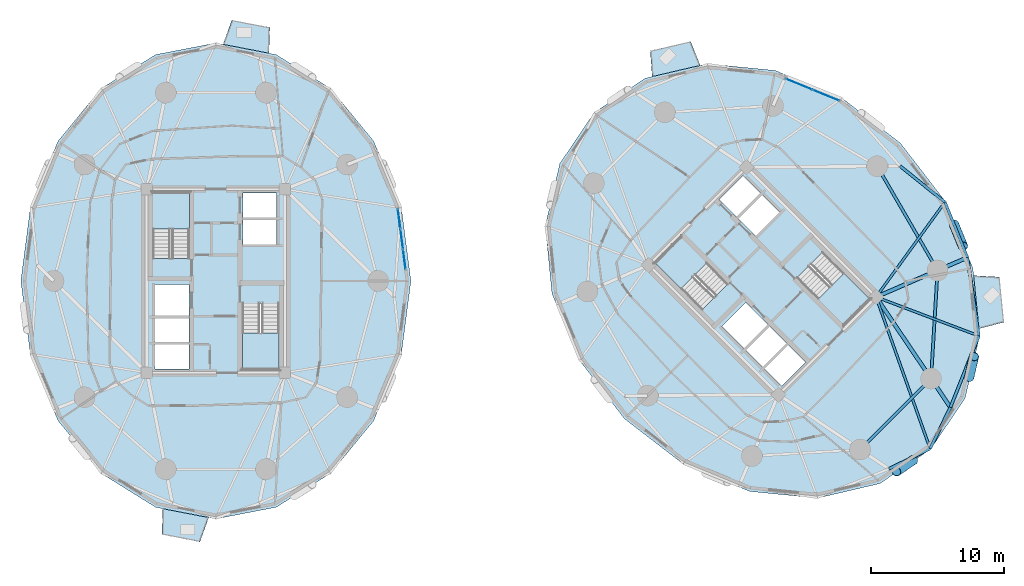
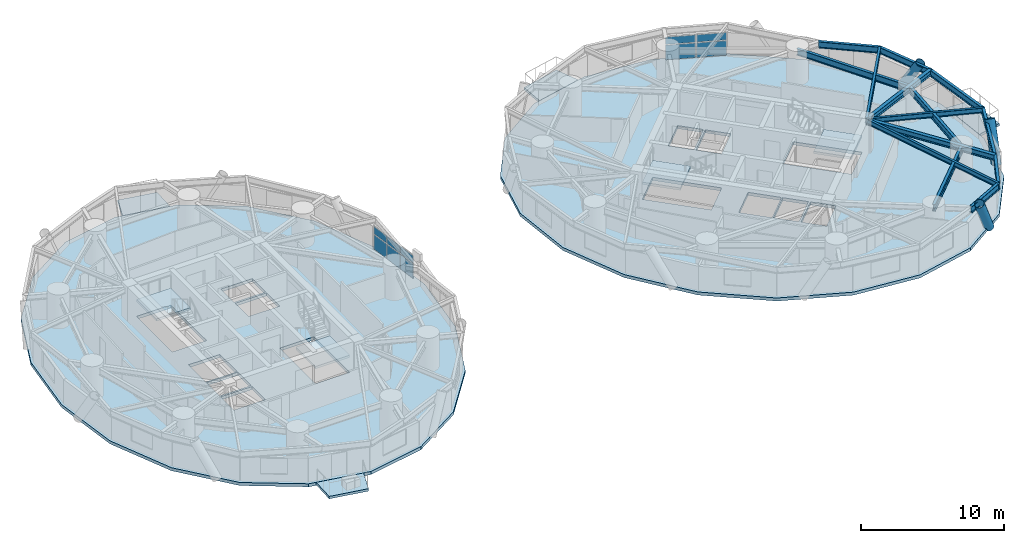
# One storey, part 6 of 15: 14 beams, 10 plates, 10 slabs, 3 members, 6 elements without a shape of their own.
"""IFC4 building model written with IfcOpenShell, lengths in metres."""

from ifc_helpers import new_model, si_unit, direction, frame, origin, origin_2d, place, context, subcontext, project, spatial, polyline, rectangle, hollow_circle, i_section, outline, extrude, source, transform, mapped, material, layer, layer_set, material_profile, profile_set, type_object, element, aggregate, save


model = new_model("IFC4")

# Units and contexts
model_context = context("Model", 3, precision=1e-05, world=origin(), true_north=direction((0.0, 1.0)))
body_context = subcontext(model_context, "Body", "Model", "MODEL_VIEW")
ifc_project = project(units=[si_unit("LENGTHUNIT", "METRE"), si_unit("AREAUNIT", "SQUARE_METRE"), si_unit("VOLUMEUNIT", "CUBIC_METRE"), si_unit("PLANEANGLEUNIT", "RADIAN"), si_unit("MASSUNIT", "GRAM", prefix="KILO")], contexts=[model_context])

# Site, building, storey
site_placement = place(None, origin())
site = spatial("IfcSite", under=ifc_project, at=site_placement, CompositionType="ELEMENT")
building_placement = place(site_placement, origin())
building = spatial("IfcBuilding", under=site, at=building_placement, Name="Cununo Teusaquillo Station Towers", CompositionType="ELEMENT")
storey_placement = place(building_placement, frame((0.0, 0.0, 24.909912109375)))
storey = spatial("IfcBuildingStorey", under=building, at=storey_placement, Name="L06", CompositionType="ELEMENT", Elevation=24.909912109375)

# Beams
ifc_material_1 = material(Name="Steel ASTM A572 Grade 50", Category="steel")
ifc_material_profile_1 = material_profile(ifc_material_1, i_section(OverallWidth=0.180908203125, OverallDepth=0.4169921875, WebThickness=0.010986328125, FlangeThickness=0.018310546875, FilletRadius=0.012939453125, at=origin_2d()), Name="W16X57")
ifc_profile_set_1 = profile_set([ifc_material_profile_1], Name="Steel ASTM A572 Grade 50")
beam_type_1 = type_object("IfcBeamType", Name="BM-JOIST-1", PredefinedType="JOIST", material=ifc_profile_set_1)
beam_1_placement = place(storey_placement, frame((66.024169921875, 23.29443359375, 2.441650390625), z_axis=(0.335830426812, -0.941922462004, 0.0), x_axis=(0.941922462004, 0.335830426812, 0.0)))
element("IfcBeam", 1, at=beam_1_placement, inside=storey, type_object=beam_type_1, Name="L06 Tower B Radial Spandrel Joist V15", PredefinedType="JOIST", context=body_context, shape_type="SweptSolid", body=[
    extrude(i_section(OverallWidth=0.180908203125, OverallDepth=0.4169921875, WebThickness=0.010986328125, FlangeThickness=0.018310546875, FilletRadius=0.012939453125, at=origin_2d()), origin(), (0.0, 0.0, 1.0), 12.074951171875),
])
beam_2_placement = place(storey_placement, frame((66.024169921875, 23.29443359375, 2.441650390625), z_axis=(0.935351694296, -0.353719108867, 0.0), x_axis=(0.353719108867, 0.935351694296, 0.0)))
element("IfcBeam", 2, at=beam_2_placement, inside=storey, type_object=beam_type_1, Name="L06 Tower B Radial Spandrel Joist V17", PredefinedType="JOIST", context=body_context, shape_type="SweptSolid", body=[
    extrude(i_section(OverallWidth=0.180908203125, OverallDepth=0.4169921875, WebThickness=0.010986328125, FlangeThickness=0.018310546875, FilletRadius=0.012939453125, at=origin_2d()), origin(), (0.0, 0.0, 1.0), 8.24169921875),
])
beam_3_placement = place(storey_placement, frame((66.024169921875, 23.29443359375, 2.441650390625), z_axis=(0.587127729658, 0.80949430453, 0.0), x_axis=(-0.80949430453, 0.587127729658, 0.0)))
element("IfcBeam", 3, at=beam_3_placement, inside=storey, type_object=beam_type_1, Name="L06 Tower B Radial Spandrel Joist V19", PredefinedType="JOIST", context=body_context, shape_type="SweptSolid", body=[
    extrude(i_section(OverallWidth=0.180908203125, OverallDepth=0.4169921875, WebThickness=0.010986328125, FlangeThickness=0.018310546875, FilletRadius=0.012939453125, at=origin_2d()), origin(), (0.0, 0.0, 1.0), 8.792236328125),
])
ifc_material_2 = material(Name="Steel ASTM A572 Grade 50", Category="steel")
ifc_material_profile_2 = material_profile(ifc_material_2, i_section(OverallWidth=0.280029296875, OverallDepth=0.462890625, WebThickness=0.0107421875, FlangeThickness=0.017333984375, FilletRadius=0.013916015625, at=origin_2d()), Name="W18X76")
ifc_profile_set_2 = profile_set([ifc_material_profile_2], Name="Steel ASTM A572 Grade 50")
beam_type_2 = type_object("IfcBeamType", Name="BM-RAD-G1", PredefinedType="BEAM", material=ifc_profile_set_2)
beam_4_placement = place(storey_placement, frame((66.024169921875, 23.29443359375, 2.418701171875), z_axis=(0.558566040042, -0.829460052631, 0.0), x_axis=(0.829460052631, 0.558566040042, 0.0)))
element("IfcBeam", 4, at=beam_4_placement, inside=storey, type_object=beam_type_2, Name="L06 Tower B Continuous Overhanging Radial Girder 09", PredefinedType="BEAM", context=body_context, shape_type="SweptSolid", body=[
    extrude(i_section(OverallWidth=0.280029296875, OverallDepth=0.462890625, WebThickness=0.0107421875, FlangeThickness=0.017333984375, FilletRadius=0.013916015625, at=origin_2d()), origin(), (0.0, 0.0, 1.0), 9.982177734375),
])
beam_5_placement = place(storey_placement, frame((66.024169921875, 23.29443359375, 2.418701171875), z_axis=(0.917655022043, 0.397377981926, 0.0), x_axis=(-0.397377981926, 0.917655022043, 0.0)))
element("IfcBeam", 5, at=beam_5_placement, inside=storey, type_object=beam_type_2, Name="L06 Tower B Continuous Overhanging Radial Girder 10", PredefinedType="BEAM", context=body_context, shape_type="SweptSolid", body=[
    extrude(i_section(OverallWidth=0.280029296875, OverallDepth=0.462890625, WebThickness=0.0107421875, FlangeThickness=0.017333984375, FilletRadius=0.013916015625, at=origin_2d()), origin(), (0.0, 0.0, 1.0), 7.46533203125),
])
ifc_material_3 = material(Name="Steel ASTM A572 Grade 50", Category="steel")
ifc_material_profile_3 = material_profile(ifc_material_3, i_section(OverallWidth=0.214111328125, OverallDepth=0.549072265625, WebThickness=0.0146484375, FlangeThickness=0.023681640625, FilletRadius=0.014892578125, at=origin_2d()), Name="W21X93")
ifc_profile_set_3 = profile_set([ifc_material_profile_3], Name="Steel ASTM A572 Grade 50")
beam_type_3 = type_object("IfcBeamType", Name="BM-RING-Z1", PredefinedType="SPANDREL", material=ifc_profile_set_3)
beam_6_placement = place(storey_placement, frame((64.826904296875, 11.853759765625, 2.37548828125), z_axis=(0.707106781187, 0.707106781187, 0.0), x_axis=(-0.707106781187, 0.707106781187, 0.0)))
element("IfcBeam", 6, at=beam_6_placement, inside=storey, type_object=beam_type_3, Name="L06 Tower B Structural Column Ring Girder 08", PredefinedType="SPANDREL", context=body_context, shape_type="SweptSolid", body=[
    extrude(i_section(OverallWidth=0.214111328125, OverallDepth=0.549072265625, WebThickness=0.0146484375, FlangeThickness=0.023681640625, FilletRadius=0.014892578125, at=origin_2d()), origin(), (0.0, 0.0, 1.0), 7.522705078125),
])
beam_7_placement = place(storey_placement, frame((70.146240234375, 17.173095703125, 2.37548828125), z_axis=(0.06012979176, 0.998190567048, 0.0), x_axis=(-0.998190567048, 0.06012979176, 0.0)))
element("IfcBeam", 7, at=beam_7_placement, inside=storey, type_object=beam_type_3, Name="L06 Tower B Structural Column Ring Girder 09", PredefinedType="SPANDREL", context=body_context, shape_type="SweptSolid", body=[
    extrude(i_section(OverallWidth=0.214111328125, OverallDepth=0.549072265625, WebThickness=0.0146484375, FlangeThickness=0.023681640625, FilletRadius=0.014892578125, at=origin_2d()), origin(), (0.0, 0.0, 1.0), 8.132568359375),
])
beam_8_placement = place(storey_placement, frame((70.63525390625, 25.291015625, 2.37548828125), z_axis=(-0.501311121078, 0.865267103202, 0.0), x_axis=(-0.865267103202, -0.501311121078, 0.0)))
element("IfcBeam", 8, at=beam_8_placement, inside=storey, type_object=beam_type_3, Name="L06 Tower B Structural Column Ring Girder 10", PredefinedType="SPANDREL", context=body_context, shape_type="SweptSolid", body=[
    extrude(i_section(OverallWidth=0.214111328125, OverallDepth=0.549072265625, WebThickness=0.0146484375, FlangeThickness=0.023681640625, FilletRadius=0.014892578125, at=origin_2d()), origin(), (0.0, 0.0, 1.0), 9.032958984375),
])
for number, where, z_axis, x_axis, name in (
    (9, (66.9853515625, 10.400146484375, 2.37548828125), (0.89747957949, 0.4410560105, 0.0), (-0.4410560105, 0.89747957949, 0.0), "L06 Tower B Spandrel Ring Beam 15"),
    (10, (70.079345703125, 11.920654296875, 2.37548828125), (0.4410560105, 0.89747957949, 0.0), (-0.89747957949, 0.4410560105, 0.0), "L06 Tower B Spandrel Ring Beam 16"),
):
    element("IfcBeam", number, at=place(storey_placement, frame(where, z_axis=z_axis, x_axis=x_axis)), inside=storey, type_object=beam_type_3, Name=name, PredefinedType="SPANDREL", context=body_context, shape_type="SweptSolid", body=[
        extrude(i_section(OverallWidth=0.214111328125, OverallDepth=0.549072265625, WebThickness=0.0146484375, FlangeThickness=0.023681640625, FilletRadius=0.014892578125, at=origin_2d()), origin(), (0.0, 0.0, 1.0), 3.447509765625),
    ])
beam_9_placement = place(storey_placement, frame((71.599853515625, 15.0146484375, 2.37548828125), z_axis=(0.369523366373, 0.929221438466, 0.0), x_axis=(-0.929221438466, 0.369523366373, 0.0)))
element("IfcBeam", 11, at=beam_9_placement, inside=storey, type_object=beam_type_3, Name="L06 Tower B Spandrel Ring Beam 17", PredefinedType="SPANDREL", context=body_context, shape_type="SweptSolid", body=[
    extrude(i_section(OverallWidth=0.214111328125, OverallDepth=0.549072265625, WebThickness=0.0146484375, FlangeThickness=0.023681640625, FilletRadius=0.014892578125, at=origin_2d()), origin(), (0.0, 0.0, 1.0), 5.773193359375),
])
beam_10_placement = place(storey_placement, frame((73.733154296875, 20.379150390625, 2.37548828125), z_axis=(-0.144410786586, 0.989517824356, 0.0), x_axis=(-0.989517824356, -0.144410786586, 0.0)))
element("IfcBeam", 12, at=beam_10_placement, inside=storey, type_object=beam_type_3, Name="L06 Tower B Spandrel Ring Beam 18", PredefinedType="SPANDREL", context=body_context, shape_type="SweptSolid", body=[
    extrude(i_section(OverallWidth=0.214111328125, OverallDepth=0.549072265625, WebThickness=0.0146484375, FlangeThickness=0.023681640625, FilletRadius=0.014892578125, at=origin_2d()), origin(), (0.0, 0.0, 1.0), 5.944091796875),
])
beam_11_placement = place(storey_placement, frame((72.874755859375, 26.260986328125, 2.37548828125), z_axis=(-0.376813976218, 0.926288954553, 0.0), x_axis=(-0.926288954553, -0.376813976218, 0.0)))
element("IfcBeam", 13, at=beam_11_placement, inside=storey, type_object=beam_type_3, Name="L06 Tower B Spandrel Ring Beam 19", PredefinedType="SPANDREL", context=body_context, shape_type="SweptSolid", body=[
    extrude(i_section(OverallWidth=0.214111328125, OverallDepth=0.549072265625, WebThickness=0.0146484375, FlangeThickness=0.023681640625, FilletRadius=0.014892578125, at=origin_2d()), origin(), (0.0, 0.0, 1.0), 4.48095703125),
])
beam_12_placement = place(storey_placement, frame((71.186279296875, 30.41162109375, 2.37548828125), z_axis=(-0.779218846052, 0.626751936541, 0.0), x_axis=(-0.626751936541, -0.779218846052, 0.0)))
element("IfcBeam", 14, at=beam_12_placement, inside=storey, type_object=beam_type_3, Name="L06 Tower B Spandrel Ring Beam 20", PredefinedType="SPANDREL", context=body_context, shape_type="SweptSolid", body=[
    extrude(i_section(OverallWidth=0.214111328125, OverallDepth=0.549072265625, WebThickness=0.0146484375, FlangeThickness=0.023681640625, FilletRadius=0.014892578125, at=origin_2d()), origin(), (0.0, 0.0, 1.0), 4.323486328125),
])

# Members
ifc_material_4 = material(Name="Steel EN 10025-2 S355J2", Category="steel")
ifc_material_profile_4 = material_profile(ifc_material_4, hollow_circle(Radius=0.360107421875, WallThickness=0.028076171875, at=origin_2d()), Name="CHS 720x28")
ifc_profile_set_4 = profile_set([ifc_material_profile_4], Name="Steel EN 10025-2 S355J2")
member_type = type_object("IfcMemberType", Name="MBR-DIAG-Z1", PredefinedType="BRACE", material=ifc_profile_set_4)
member_1_placement = place(storey_placement, frame((68.81298828125, 11.064453125, -0.139892578125), z_axis=(-0.38533376929, -0.260404817874, 0.885272397103), x_axis=(0.559922604703, -0.828544915344, 0.0)))
element("IfcMember", 15, at=member_1_placement, inside=storey, type_object=member_type, Name="L06 Tower B Folded-Zigzag Diagrid Tube C14", PredefinedType="BRACE", context=body_context, shape_type="SweptSolid", body=[
    extrude(hollow_circle(Radius=0.360107421875, WallThickness=0.028076171875, at=origin_2d()), origin(), (0.0, 0.0, 1.0), 3.287109375),
])
member_2_placement = place(storey_placement, frame((73.009521484375, 17.273193359375, -0.139892578125), z_axis=(0.109041000071, 0.468022807997, 0.876963346725), x_axis=(-0.973916822154, 0.226905318414, 0.0)))
element("IfcMember", 16, at=member_2_placement, inside=storey, type_object=member_type, Name="L06 Tower B Folded-Zigzag Diagrid Tube C16", PredefinedType="BRACE", context=body_context, shape_type="SweptSolid", body=[
    extrude(hollow_circle(Radius=0.360107421875, WallThickness=0.028076171875, at=origin_2d()), origin(), (0.0, 0.0, 1.0), 3.318115234375),
])
member_3_placement = place(storey_placement, frame((71.8671875, 28.7548828125, -0.139892578125), z_axis=(0.199338374541, -0.484842369044, 0.851582109732), x_axis=(0.924881195871, 0.380256194589, 0.0)))
element("IfcMember", 17, at=member_3_placement, inside=storey, type_object=member_type, Name="L06 Tower B Folded-Zigzag Diagrid Tube C18", PredefinedType="BRACE", context=body_context, shape_type="SweptSolid", body=[
    extrude(hollow_circle(Radius=0.360107421875, WallThickness=0.028076171875, at=origin_2d()), origin(), (0.0, 0.0, 1.0), 3.4169921875),
])

# Slabs
ifc_material_5 = material(Name="Concrete C50/60", Category="concrete")
ifc_layer_1 = layer(ifc_material_5, 0.2099609375)
ifc_layer_set_1 = layer_set([ifc_layer_1], Name="Concrete C50/60")
slab_type_1 = type_object("IfcSlabType", Name="SLB-BAL-210", PredefinedType="FLOOR", material=ifc_layer_set_1)
slab_1_placement = place(storey_placement, frame((0.0, 0.0, -0.2099609375)))
element("IfcSlab", 18, at=slab_1_placement, inside=storey, type_object=slab_type_1, Name="L06 Tower A Sky Garden Terrace Slab 1", PredefinedType="FLOOR", context=body_context, shape_type="SweptSolid", body=[
    extrude(outline(polyline([(20.482177734375, 41.585693359375), (17.041015625, 42.25048828125), (17.69873046875, 44.073974609375), (20.55078125, 43.522705078125), (20.482177734375, 41.585693359375)])), origin(), (0.0, 0.0, 1.0), 0.2099609375),
])
slab_2_placement = place(storey_placement, frame((0.0, 0.0, -0.2099609375)))
element("IfcSlab", 19, at=slab_2_placement, inside=storey, type_object=slab_type_1, Name="L06 Tower A Tree Balcony Slab 2", PredefinedType="FLOOR", context=body_context, shape_type="SweptSolid", body=[
    extrude(outline(polyline([(12.517822265625, 7.414306640625), (15.958984375, 6.74951171875), (15.30126953125, 4.926025390625), (12.44921875, 5.477294921875), (12.517822265625, 7.414306640625)])), origin(), (0.0, 0.0, 1.0), 0.2099609375),
])
slab_3_placement = place(storey_placement, frame((0.0, 0.0, -0.2099609375)))
element("IfcSlab", 20, at=slab_3_placement, inside=storey, type_object=slab_type_1, Name="L06 Tower B Sky Garden Terrace Slab 1", PredefinedType="FLOOR", context=body_context, shape_type="SweptSolid", body=[
    extrude(outline(polyline([(52.8330078125, 40.67236328125), (49.227294921875, 39.830810546875), (49.084228515625, 41.763916015625), (52.105712890625, 42.468994140625), (52.8330078125, 40.67236328125)])), origin(), (0.0, 0.0, 1.0), 0.2099609375),
])
slab_4_placement = place(storey_placement, frame((0.0, 0.0, -0.2099609375)))
element("IfcSlab", 21, at=slab_4_placement, inside=storey, type_object=slab_type_1, Name="L06 Tower B Tree Balcony Slab 2", PredefinedType="FLOOR", context=body_context, shape_type="SweptSolid", body=[
    extrude(outline(polyline([(73.7431640625, 20.91748046875), (73.347900390625, 24.904052734375), (75.283203125, 24.79443359375), (75.619140625, 21.40478515625), (73.7431640625, 20.91748046875)])), origin(), (0.0, 0.0, 1.0), 0.2099609375),
])

# Stair, slab
ifc_material_6 = material(Name="Concrete C50/60", Category="concrete")
stair_type = type_object("IfcStairType", Name="ST-TWR-1300", PredefinedType="HALF_TURN_STAIR", material=ifc_material_6)
stair_1_placement = place(storey_placement, origin())
stair_1 = element("IfcStair", 22, at=stair_1_placement, inside=storey, type_object=stair_type, Name="L06 Tower A Protected Core Exit Stair 1", PredefinedType="HALF_TURN_STAIR")
ifc_material_7 = material(Name="Concrete C50/60", Category="concrete")
ifc_layer_2 = layer(ifc_material_7, 0.199951171875)
ifc_layer_set_2 = layer_set([ifc_layer_2], Name="Concrete C50/60")
slab_type_2 = type_object("IfcSlabType", Name="SLB-STAIR-LND", PredefinedType="LANDING", material=ifc_layer_set_2)
slab_5_placement = place(storey_placement, frame((0.0, 0.0, 1.255126953125)))
slab_5 = element("IfcSlab", 23, at=slab_5_placement, type_object=slab_type_2, Name="ST-T1-1 landing 1", PredefinedType="LANDING", context=body_context, shape_type="SweptSolid", body=[
    extrude(outline(polyline([(14.52001953125, 28.409912109375), (14.52001953125, 31.159912109375), (11.760009765625, 31.159912109375), (11.760009765625, 28.409912109375), (14.52001953125, 28.409912109375)])), origin(), (0.0, 0.0, 1.0), 0.199951171875),
])
aggregate(stair_1, [slab_5])

stair_2_placement = place(storey_placement, origin())
stair_2 = element("IfcStair", 24, at=stair_2_placement, inside=storey, type_object=stair_type, Name="L06 Tower A Protected Core Exit Stair 2", PredefinedType="HALF_TURN_STAIR")
slab_6_placement = place(storey_placement, frame((0.0, 0.0, 1.255126953125)))
slab_6 = element("IfcSlab", 25, at=slab_6_placement, type_object=slab_type_2, Name="ST-T1-2 landing 1", PredefinedType="LANDING", context=body_context, shape_type="SweptSolid", body=[
    extrude(outline(polyline([(18.47998046875, 20.590087890625), (18.47998046875, 17.840087890625), (21.239990234375, 17.840087890625), (21.239990234375, 20.590087890625), (18.47998046875, 20.590087890625)])), origin(), (0.0, 0.0, 1.0), 0.199951171875),
])
aggregate(stair_2, [slab_6])

stair_3_placement = place(storey_placement, origin())
stair_3 = element("IfcStair", 26, at=stair_3_placement, inside=storey, type_object=stair_type, Name="L06 Tower B Protected Core Exit Stair 1", PredefinedType="HALF_TURN_STAIR")
slab_7_placement = place(storey_placement, frame((0.0, 0.0, 1.255126953125)))
slab_7 = element("IfcSlab", 27, at=slab_7_placement, type_object=slab_type_2, Name="ST-T2-1 landing 1", PredefinedType="LANDING", context=body_context, shape_type="SweptSolid", body=[
    extrude(outline(polyline([(53.335205078125, 25.86474609375), (51.390625, 27.809326171875), (49.43896484375, 25.857666015625), (51.383544921875, 23.9130859375), (53.335205078125, 25.86474609375)])), origin(), (0.0, 0.0, 1.0), 0.199951171875),
])
aggregate(stair_3, [slab_7])

stair_4_placement = place(storey_placement, origin())
stair_4 = element("IfcStair", 28, at=stair_4_placement, inside=storey, type_object=stair_type, Name="L06 Tower B Protected Core Exit Stair 2", PredefinedType="HALF_TURN_STAIR")
slab_8_placement = place(storey_placement, frame((0.0, 0.0, 1.255126953125)))
slab_8 = element("IfcSlab", 29, at=slab_8_placement, type_object=slab_type_2, Name="ST-T2-2 landing 1", PredefinedType="LANDING", context=body_context, shape_type="SweptSolid", body=[
    extrude(outline(polyline([(61.664794921875, 23.13525390625), (63.609375, 21.190673828125), (65.56103515625, 23.142333984375), (63.616455078125, 25.0869140625), (61.664794921875, 23.13525390625)])), origin(), (0.0, 0.0, 1.0), 0.199951171875),
])
aggregate(stair_4, [slab_8])

# Slabs
ifc_material_8 = material(Name="Concrete C50/60", Category="concrete")
ifc_layer_3 = layer(ifc_material_8, 0.260009765625)
ifc_layer_set_3 = layer_set([ifc_layer_3], Name="Concrete C50/60")
slab_type_3 = type_object("IfcSlabType", Name="SLB-Z1-260", PredefinedType="FLOOR", material=ifc_layer_set_3)
slab_9_placement = place(storey_placement, frame((0.0, 0.0, -0.260009765625)))
element("IfcSlab", 30, at=slab_9_placement, inside=storey, type_object=slab_type_3, Name="L06 Tower A Floor Slab", PredefinedType="FLOOR", context=body_context, shape_type="SweptSolid", body=[
    extrude(outline(polyline([(31.131103515625, 24.5), (30.414794921875, 30.01611328125), (28.336669921875, 34.991943359375), (25.099853515625, 38.94091796875), (21.021240234375, 41.476318359375), (16.5, 42.35009765625), (11.978759765625, 41.476318359375), (7.900146484375, 38.94091796875), (4.663330078125, 34.991943359375), (2.585205078125, 30.01611328125), (1.868896484375, 24.5), (2.585205078125, 18.98388671875), (4.663330078125, 14.008056640625), (7.900146484375, 10.05908203125), (11.978759765625, 7.523681640625), (16.5, 6.64990234375), (21.021240234375, 7.523681640625), (25.099853515625, 10.05908203125), (28.336669921875, 14.008056640625), (30.414794921875, 18.98388671875), (31.131103515625, 24.5)]), holes=[polyline([(14.52001953125, 26.176025390625), (14.52001953125, 31.159912109375), (11.760009765625, 31.159912109375), (11.760009765625, 26.176025390625), (14.52001953125, 26.176025390625)]), polyline([(18.47998046875, 22.823974609375), (18.47998046875, 17.840087890625), (21.239990234375, 17.840087890625), (21.239990234375, 22.823974609375), (18.47998046875, 22.823974609375)]), polyline([(11.949951171875, 21.85009765625), (14.47998046875, 21.85009765625), (14.47998046875, 24.25), (11.949951171875, 24.25), (11.949951171875, 21.85009765625)]), polyline([(11.949951171875, 17.89990234375), (14.47998046875, 17.89990234375), (14.47998046875, 19.75), (11.949951171875, 19.75), (11.949951171875, 17.89990234375)]), polyline([(11.949951171875, 19.89990234375), (14.47998046875, 19.89990234375), (14.47998046875, 21.75), (11.949951171875, 21.75), (11.949951171875, 19.89990234375)]), polyline([(18.52001953125, 27.25), (21.050048828125, 27.25), (21.050048828125, 29.10009765625), (18.52001953125, 29.10009765625), (18.52001953125, 27.25)]), polyline([(18.52001953125, 29.25), (21.050048828125, 29.25), (21.050048828125, 31.10009765625), (18.52001953125, 31.10009765625), (18.52001953125, 29.25)])]), origin(), (0.0, 0.0, 1.0), 0.260009765625),
])
slab_10_placement = place(storey_placement, frame((0.0, 0.0, -0.260009765625)))
element("IfcSlab", 31, at=slab_10_placement, inside=storey, type_object=slab_type_3, Name="L06 Tower B Floor Slab", PredefinedType="FLOOR", context=body_context, shape_type="SweptSolid", body=[
    extrude(outline(polyline([(67.845703125, 34.845703125), (63.43896484375, 38.23974609375), (58.45068359375, 40.288818359375), (53.36962890625, 40.79248046875), (48.69287109375, 39.701171875), (44.878173828125, 37.121826171875), (42.298828125, 33.30712890625), (41.20751953125, 28.63037109375), (41.711181640625, 23.54931640625), (43.76025390625, 18.56103515625), (47.154296875, 14.154296875), (51.56103515625, 10.76025390625), (56.54931640625, 8.711181640625), (61.63037109375, 8.20751953125), (66.30712890625, 9.298828125), (70.121826171875, 11.878173828125), (72.701171875, 15.69287109375), (73.79248046875, 20.36962890625), (73.288818359375, 25.45068359375), (71.23974609375, 30.43896484375), (67.845703125, 34.845703125)]), holes=[polyline([(54.914794921875, 24.28515625), (51.390625, 27.809326171875), (49.43896484375, 25.857666015625), (52.963134765625, 22.33349609375), (54.914794921875, 24.28515625)]), polyline([(60.085205078125, 24.71484375), (63.609375, 21.190673828125), (65.56103515625, 23.142333984375), (62.036865234375, 26.66650390625), (60.085205078125, 24.71484375)]), polyline([(56.156494140625, 19.40869140625), (57.945556640625, 21.19775390625), (56.248291015625, 22.89501953125), (54.45947265625, 21.10595703125), (56.156494140625, 19.40869140625)]), polyline([(58.94970703125, 16.61572265625), (60.738525390625, 18.40478515625), (59.430419921875, 19.712890625), (57.641357421875, 17.923828125), (58.94970703125, 16.61572265625)]), polyline([(57.535400390625, 18.030029296875), (59.32421875, 19.819091796875), (58.01611328125, 21.127197265625), (56.227294921875, 19.338134765625), (57.535400390625, 18.030029296875)]), polyline([(56.98388671875, 27.872802734375), (58.772705078125, 29.661865234375), (57.464599609375, 30.969970703125), (55.67578125, 29.180908203125), (56.98388671875, 27.872802734375)]), polyline([(55.569580078125, 29.287109375), (57.358642578125, 31.076171875), (56.05029296875, 32.38427734375), (54.261474609375, 30.59521484375), (55.569580078125, 29.287109375)])]), origin(), (0.0, 0.0, 1.0), 0.260009765625),
])

# Curtain wall, plates
ifc_material_9 = material(Name="Ceramic-fritted dark low-E double glazing", Category="glass")
ifc_layer_4 = layer(ifc_material_9, 0.179931640625)
ifc_layer_set_4 = layer_set([ifc_layer_4], Name="Ceramic-fritted dark low-E double glazing")
curtain_wall_type = type_object("IfcCurtainWallType", Name="CW-SYS-02", PredefinedType="USERDEFINED", material=ifc_layer_set_4)
curtain_wall_1_placement = place(storey_placement, origin())
curtain_wall_1 = element("IfcCurtainWall", 32, at=curtain_wall_1_placement, inside=storey, type_object=curtain_wall_type, Name="L06 Tower A Facade Curtain Wall C00", ObjectType="FRITTED GLAZING", PredefinedType="USERDEFINED")
ifc_material_10 = material(Name="Ceramic-fritted dark low-E double glazing", Category="glass")
ifc_layer_5 = layer(ifc_material_10, 0.028076171875)
ifc_layer_set_5 = layer_set([ifc_layer_5], Name="Ceramic-fritted dark low-E double glazing")
plate_type = type_object("IfcPlateType", Name="CWP-FRIT-28", PredefinedType="CURTAIN_PANEL", material=ifc_layer_set_5)
shared_shape_1 = source(origin(), body_context, "Body", "SweptSolid", [
    extrude(rectangle(XDim=1.4365234375, YDim=0.028076171875, at=origin_2d()), origin(), (0.0, 0.0, 1.0), 1.241943359375),
])
plate_1_placement = place(storey_placement, frame((30.249755859375, 29.147705078125, 0.0703125), z_axis=(0.0, 0.0, 1.0), x_axis=(0.128291742659, -0.991736471431, 0.0)))
plate_1 = element("IfcPlate", 33, at=plate_1_placement, type_object=plate_type, Name="CW-02 panel 1.1", PredefinedType="CURTAIN_PANEL", context=body_context, shape_type="MappedRepresentation", body=[
    mapped(shared_shape_1, transform((0.0, 0.0, 0.0), x_axis=(1.0, 0.0, 0.0), y_axis=(0.0, 1.0, 0.0), z_axis=(0.0, 0.0, 1.0), scale=1.0)),
])
plate_2_placement = place(storey_placement, frame((30.640869140625, 26.124755859375, 0.0703125), z_axis=(0.0, 0.0, 1.0), x_axis=(0.128291742659, -0.991736471431, 0.0)))
plate_2 = element("IfcPlate", 34, at=plate_2_placement, type_object=plate_type, Name="CW-02 panel 3.1", PredefinedType="CURTAIN_PANEL", context=body_context, shape_type="MappedRepresentation", body=[
    mapped(shared_shape_1, transform((0.0, 0.0, 0.0), x_axis=(1.0, 0.0, 0.0), y_axis=(0.0, 1.0, 0.0), z_axis=(0.0, 0.0, 1.0), scale=1.0)),
])
shared_shape_2 = source(origin(), body_context, "Body", "SweptSolid", [
    extrude(rectangle(XDim=1.4365234375, YDim=0.028076171875, at=origin_2d()), origin(), (0.0, 0.0, 1.0), 0.62109375),
])
plate_3_placement = place(storey_placement, frame((30.249755859375, 29.147705078125, 1.382080078125), z_axis=(0.0, 0.0, 1.0), x_axis=(0.128291742659, -0.991736471431, 0.0)))
plate_3 = element("IfcPlate", 35, at=plate_3_placement, type_object=plate_type, Name="CW-02 panel 1.2", PredefinedType="CURTAIN_PANEL", context=body_context, shape_type="MappedRepresentation", body=[
    mapped(shared_shape_2, transform((0.0, 0.0, 0.0), x_axis=(1.0, 0.0, 0.0), y_axis=(0.0, 1.0, 0.0), z_axis=(0.0, 0.0, 1.0), scale=1.0)),
])
plate_4_placement = place(storey_placement, frame((30.640869140625, 26.124755859375, 1.382080078125), z_axis=(0.0, 0.0, 1.0), x_axis=(0.128291742659, -0.991736471431, 0.0)))
plate_4 = element("IfcPlate", 36, at=plate_4_placement, type_object=plate_type, Name="CW-02 panel 3.2", PredefinedType="CURTAIN_PANEL", context=body_context, shape_type="MappedRepresentation", body=[
    mapped(shared_shape_2, transform((0.0, 0.0, 0.0), x_axis=(1.0, 0.0, 0.0), y_axis=(0.0, 1.0, 0.0), z_axis=(0.0, 0.0, 1.0), scale=1.0)),
])
shared_shape_3 = source(origin(), body_context, "Body", "SweptSolid", [
    extrude(rectangle(XDim=1.471435546875, YDim=0.028076171875, at=origin_2d()), origin(), (0.0, 0.0, 1.0), 1.241943359375),
])
plate_5_placement = place(storey_placement, frame((30.4453125, 27.63623046875, 0.0703125), z_axis=(0.0, 0.0, 1.0), x_axis=(0.128291742659, -0.991736471431, 0.0)))
plate_5 = element("IfcPlate", 37, at=plate_5_placement, type_object=plate_type, Name="CW-02 panel 2.1", PredefinedType="CURTAIN_PANEL", context=body_context, shape_type="MappedRepresentation", body=[
    mapped(shared_shape_3, transform((0.0, 0.0, 0.0), x_axis=(1.0, 0.0, 0.0), y_axis=(0.0, 1.0, 0.0), z_axis=(0.0, 0.0, 1.0), scale=1.0)),
])
shared_shape_4 = source(origin(), body_context, "Body", "SweptSolid", [
    extrude(rectangle(XDim=1.471435546875, YDim=0.028076171875, at=origin_2d()), origin(), (0.0, 0.0, 1.0), 0.62109375),
])
plate_6_placement = place(storey_placement, frame((30.4453125, 27.63623046875, 1.382080078125), z_axis=(0.0, 0.0, 1.0), x_axis=(0.128291742659, -0.991736471431, 0.0)))
plate_6 = element("IfcPlate", 38, at=plate_6_placement, type_object=plate_type, Name="CW-02 panel 2.2", PredefinedType="CURTAIN_PANEL", context=body_context, shape_type="MappedRepresentation", body=[
    mapped(shared_shape_4, transform((0.0, 0.0, 0.0), x_axis=(1.0, 0.0, 0.0), y_axis=(0.0, 1.0, 0.0), z_axis=(0.0, 0.0, 1.0), scale=1.0)),
])
aggregate(curtain_wall_1, [plate_1, plate_3, plate_5, plate_6, plate_2, plate_4])

curtain_wall_2_placement = place(storey_placement, origin())
curtain_wall_2 = element("IfcCurtainWall", 39, at=curtain_wall_2_placement, inside=storey, type_object=curtain_wall_type, Name="L06 Tower B Facade Curtain Wall C01", ObjectType="FRITTED GLAZING", PredefinedType="USERDEFINED")
shared_shape_5 = source(origin(), body_context, "Body", "SweptSolid", [
    extrude(rectangle(XDim=2.12255859375, YDim=0.028076171875, at=origin_2d()), origin(), (0.0, 0.0, 1.0), 1.241943359375),
])
plate_7_placement = place(storey_placement, frame((60.23876953125, 39.257080078125, 0.0703125), z_axis=(0.0, 0.0, 1.0), x_axis=(0.924524624623, -0.38112231431, 0.0)))
plate_7 = element("IfcPlate", 40, at=plate_7_placement, type_object=plate_type, Name="CW-02 panel 1.1", PredefinedType="CURTAIN_PANEL", context=body_context, shape_type="MappedRepresentation", body=[
    mapped(shared_shape_5, transform((0.0, 0.0, 0.0), x_axis=(1.0, 0.0, 0.0), y_axis=(0.0, 1.0, 0.0), z_axis=(0.0, 0.0, 1.0), scale=1.0)),
])
plate_8_placement = place(storey_placement, frame((62.265869140625, 38.42138671875, 0.0703125), z_axis=(0.0, 0.0, 1.0), x_axis=(0.924524624623, -0.38112231431, 0.0)))
plate_8 = element("IfcPlate", 41, at=plate_8_placement, type_object=plate_type, Name="CW-02 panel 2.1", PredefinedType="CURTAIN_PANEL", context=body_context, shape_type="MappedRepresentation", body=[
    mapped(shared_shape_5, transform((0.0, 0.0, 0.0), x_axis=(1.0, 0.0, 0.0), y_axis=(0.0, 1.0, 0.0), z_axis=(0.0, 0.0, 1.0), scale=1.0)),
])
shared_shape_6 = source(origin(), body_context, "Body", "SweptSolid", [
    extrude(rectangle(XDim=2.12255859375, YDim=0.028076171875, at=origin_2d()), origin(), (0.0, 0.0, 1.0), 0.62109375),
])
plate_9_placement = place(storey_placement, frame((60.23876953125, 39.257080078125, 1.382080078125), z_axis=(0.0, 0.0, 1.0), x_axis=(0.924524624623, -0.38112231431, 0.0)))
plate_9 = element("IfcPlate", 42, at=plate_9_placement, type_object=plate_type, Name="CW-02 panel 1.2", PredefinedType="CURTAIN_PANEL", context=body_context, shape_type="MappedRepresentation", body=[
    mapped(shared_shape_6, transform((0.0, 0.0, 0.0), x_axis=(1.0, 0.0, 0.0), y_axis=(0.0, 1.0, 0.0), z_axis=(0.0, 0.0, 1.0), scale=1.0)),
])
plate_10_placement = place(storey_placement, frame((62.265869140625, 38.42138671875, 1.382080078125), z_axis=(0.0, 0.0, 1.0), x_axis=(0.924524624623, -0.38112231431, 0.0)))
plate_10 = element("IfcPlate", 43, at=plate_10_placement, type_object=plate_type, Name="CW-02 panel 2.2", PredefinedType="CURTAIN_PANEL", context=body_context, shape_type="MappedRepresentation", body=[
    mapped(shared_shape_6, transform((0.0, 0.0, 0.0), x_axis=(1.0, 0.0, 0.0), y_axis=(0.0, 1.0, 0.0), z_axis=(0.0, 0.0, 1.0), scale=1.0)),
])
aggregate(curtain_wall_2, [plate_7, plate_9, plate_8, plate_10])

save(model, "model.ifc")
